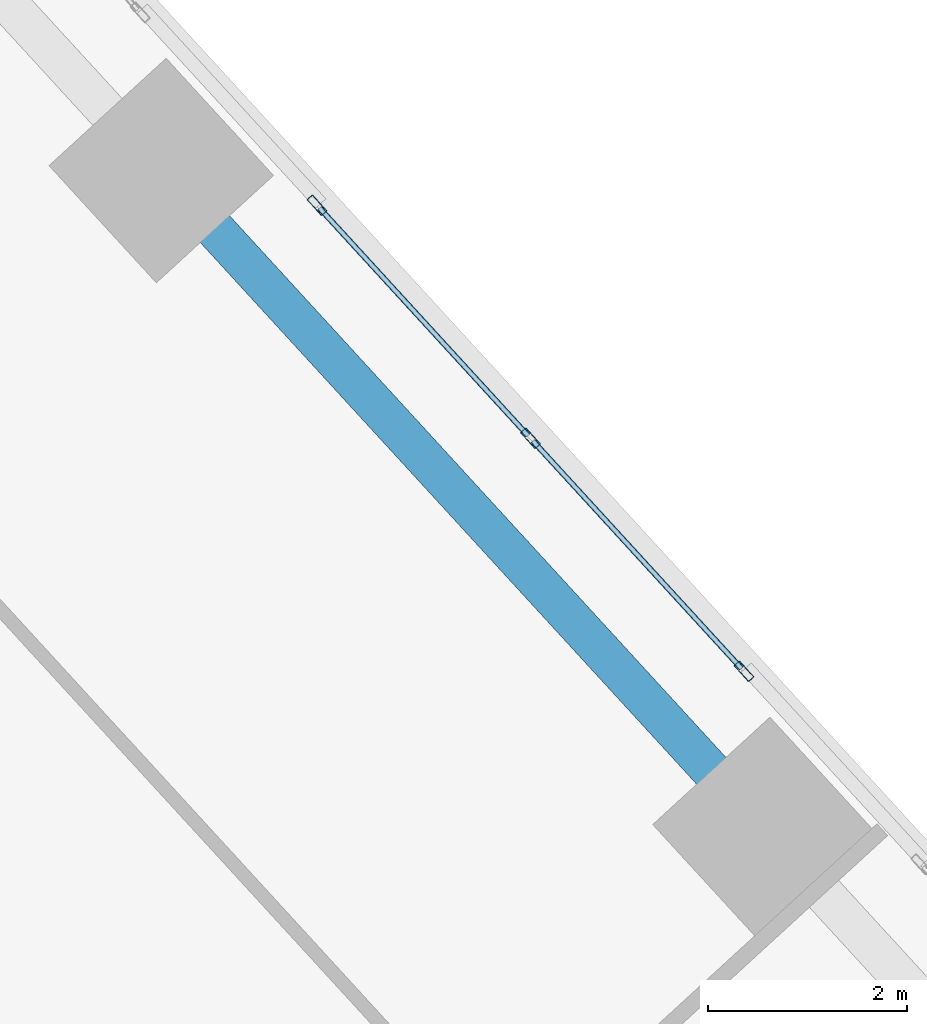
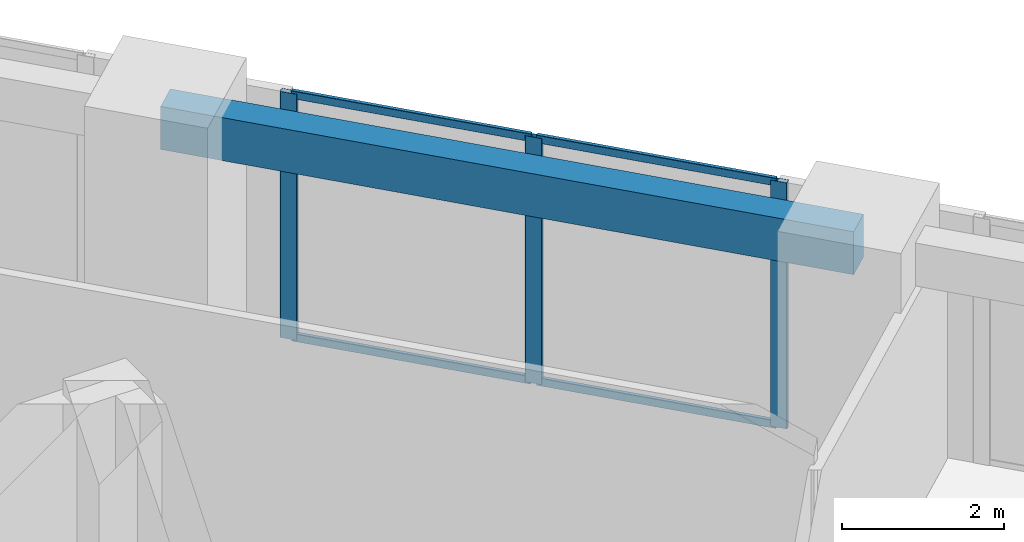
# One storey, part 10 of 16: 7 members, 1 beam, 1 element without a shape of its own.
"""IFC4 building model written with IfcOpenShell, lengths in metres."""

from ifc_helpers import new_model, si_unit, direction, frame, origin, origin_2d, place, context, subcontext, project, spatial, rectangle, hollow_rectangle, extrude, source, transform, mapped, material, material_profile, profile_set, type_object, element, aggregate, save


model = new_model("IFC4")

# Units and contexts
model_context = context("Model", 3, precision=1e-05, world=origin(), true_north=direction((0.0, 1.0)))
body_context = subcontext(model_context, "Body", "Model", "MODEL_VIEW")
ifc_project = project(units=[si_unit("LENGTHUNIT", "METRE"), si_unit("AREAUNIT", "SQUARE_METRE"), si_unit("VOLUMEUNIT", "CUBIC_METRE"), si_unit("PLANEANGLEUNIT", "RADIAN"), si_unit("MASSUNIT", "GRAM", prefix="KILO")], contexts=[model_context])

# Site, building, storey
site_placement = place(None, origin())
site = spatial("IfcSite", under=ifc_project, at=site_placement, CompositionType="ELEMENT")
building_placement = place(site_placement, origin())
building = spatial("IfcBuilding", under=site, at=building_placement, Name="Torre Montelarca", CompositionType="ELEMENT")
storey_placement = place(building_placement, frame((0.0, 0.0, 262.60009765625)))
storey = spatial("IfcBuildingStorey", under=building, at=storey_placement, Name="L59", CompositionType="ELEMENT", Elevation=262.60009765625)

# Beam
ifc_material_1 = material(Name="Concrete C40/50", Category="concrete")
ifc_material_profile_1 = material_profile(ifc_material_1, rectangle(XDim=0.39990234375, YDim=0.64990234375, at=origin_2d()), Name="RCB400X650", Category="concrete")
ifc_profile_set_1 = profile_set([ifc_material_profile_1], Name="Concrete C40/50")
beam_type = type_object("IfcBeamType", Name="BM-SP-RC650-EXT", PredefinedType="SPANDREL", material=ifc_profile_set_1)
shared_shape_1 = source(origin(), body_context, "Body", "SweptSolid", [
    extrude(rectangle(XDim=0.39990234375, YDim=0.64990234375, at=origin_2d()), origin(), (0.0, 0.0, 1.0), 9.0),
])
beam_placement = place(storey_placement, frame((30.30517578125, 44.815673828125, 3.635009765625), z_axis=(0.675590724023, -0.73727686361, 0.0), x_axis=(0.73727686361, 0.675590724023, 0.0)))
element("IfcBeam", 1, at=beam_placement, inside=storey, type_object=beam_type, Name="L59 Grid Girder X 18.0-27.0 at Y=47.1", PredefinedType="SPANDREL", context=body_context, shape_type="MappedRepresentation", body=[
    mapped(shared_shape_1, transform((0.0, 0.0, 0.0), scale=1.0)),
])

# Curtain wall, members
ifc_material_2 = material(Name="Insulated low-E laminated glass", Category="glass")
curtain_wall_type = type_object("IfcCurtainWallType", Name="CW-SYS-Z3", PredefinedType="USERDEFINED", material=ifc_material_2)
curtain_wall_placement = place(storey_placement, origin())
curtain_wall = element("IfcCurtainWall", 2, at=curtain_wall_placement, inside=storey, type_object=curtain_wall_type, Name="L59 Curtain Wall Run CW-T3-L59-E08-B3", ObjectType="UNITISED GLAZING", PredefinedType="USERDEFINED")
ifc_material_3 = material(Name="Anodised aluminium AA 6063-T6", Category="aluminium")
ifc_material_profile_2 = material_profile(ifc_material_3, hollow_rectangle(XDim=0.074951171875, YDim=0.219970703125, WallThickness=0.0048828125, InnerFilletRadius=0.0048828125, OuterFilletRadius=0.010009765625, at=origin_2d()), Name="ALU75X220X5", Category="aluminium")
ifc_profile_set_2 = profile_set([ifc_material_profile_2], Name="Anodised aluminium AA 6063-T6")
member_type_1 = type_object("IfcMemberType", Name="CWM-ALU220", PredefinedType="MULLION", material=ifc_profile_set_2)
shared_shape_2 = source(origin(), body_context, "Body", "SweptSolid", [
    extrude(hollow_rectangle(XDim=0.074951171875, YDim=0.219970703125, WallThickness=0.0048828125, InnerFilletRadius=0.0048828125, OuterFilletRadius=0.010009765625, at=origin_2d()), origin(), (0.0, 0.0, 1.0), 3.719970703125),
])
member_1_placement = place(storey_placement, frame((36.173583984375, 39.77294921875, 0.0), z_axis=(0.0, 0.0, 1.0), x_axis=(-0.737279815472, -0.675587502621, 0.0)))
member_1 = element("IfcMember", 3, at=member_1_placement, type_object=member_type_1, Name="CW mullion 1", PredefinedType="MULLION", context=body_context, shape_type="MappedRepresentation", body=[
    mapped(shared_shape_2, transform((0.0, 0.0, 0.0), scale=1.0)),
])
member_2_placement = place(storey_placement, frame((34.023681640625, 42.119384765625, 0.0), z_axis=(0.0, 0.0, 1.0), x_axis=(-0.737279815472, -0.675587502621, 0.0)))
member_2 = element("IfcMember", 4, at=member_2_placement, type_object=member_type_1, Name="CW mullion 2", PredefinedType="MULLION", context=body_context, shape_type="MappedRepresentation", body=[
    mapped(shared_shape_2, transform((0.0, 0.0, 0.0), scale=1.0)),
])
member_3_placement = place(storey_placement, frame((31.87353515625, 44.4658203125, 0.0), z_axis=(0.0, 0.0, 1.0), x_axis=(-0.737279815472, -0.675587502621, 0.0)))
member_3 = element("IfcMember", 5, at=member_3_placement, type_object=member_type_1, Name="CW mullion 3", PredefinedType="MULLION", context=body_context, shape_type="MappedRepresentation", body=[
    mapped(shared_shape_2, transform((0.0, 0.0, 0.0), scale=1.0)),
])
ifc_material_profile_3 = material_profile(ifc_material_3, hollow_rectangle(XDim=0.054931640625, YDim=0.1201171875, WallThickness=0.00341796875, InnerFilletRadius=0.00341796875, OuterFilletRadius=0.007080078125, at=origin_2d()), Name="ALU55X120X3.5", Category="aluminium")
ifc_profile_set_3 = profile_set([ifc_material_profile_3], Name="Anodised aluminium AA 6063-T6")
member_type_2 = type_object("IfcMemberType", Name="CWT-ALU120", PredefinedType="USERDEFINED", material=ifc_profile_set_3)
shared_shape_3 = source(origin(), body_context, "Body", "SweptSolid", [
    extrude(hollow_rectangle(XDim=0.054931640625, YDim=0.1201171875, WallThickness=0.00341796875, InnerFilletRadius=0.00341796875, OuterFilletRadius=0.007080078125, at=origin_2d()), origin(), (0.0, 0.0, 1.0), 3.107421875),
])
member_4_placement = place(storey_placement, frame((33.998291015625, 42.147216796875, 0.02734375), z_axis=(-0.675596539491, 0.737271534665, 0.0), x_axis=(-0.737271534665, -0.675596539491, 0.0)))
member_4 = element("IfcMember", 6, at=member_4_placement, type_object=member_type_2, Name="CW transom 2.1", ObjectType="TRANSOM", PredefinedType="USERDEFINED", context=body_context, shape_type="MappedRepresentation", body=[
    mapped(shared_shape_3, transform((0.0, 0.0, 0.0), scale=1.0)),
])
member_5_placement = place(storey_placement, frame((33.998291015625, 42.147216796875, 3.6923828125), z_axis=(-0.675596539491, 0.737271534665, 0.0), x_axis=(-0.737271534665, -0.675596539491, 0.0)))
member_5 = element("IfcMember", 7, at=member_5_placement, type_object=member_type_2, Name="CW transom 2.2", ObjectType="TRANSOM", PredefinedType="USERDEFINED", context=body_context, shape_type="MappedRepresentation", body=[
    mapped(shared_shape_3, transform((0.0, 0.0, 0.0), scale=1.0)),
])
shared_shape_4 = source(origin(), body_context, "Body", "SweptSolid", [
    extrude(hollow_rectangle(XDim=0.054931640625, YDim=0.1201171875, WallThickness=0.00341796875, InnerFilletRadius=0.00341796875, OuterFilletRadius=0.007080078125, at=origin_2d()), origin(), (0.0, 0.0, 1.0), 3.107666015625),
])
member_6_placement = place(storey_placement, frame((36.1484375, 39.80078125, 0.02734375), z_axis=(-0.675639242632, 0.737232401496, 0.0), x_axis=(-0.737232401496, -0.675639242632, 0.0)))
member_6 = element("IfcMember", 8, at=member_6_placement, type_object=member_type_2, Name="CW transom 1.1", ObjectType="TRANSOM", PredefinedType="USERDEFINED", context=body_context, shape_type="MappedRepresentation", body=[
    mapped(shared_shape_4, transform((0.0, 0.0, 0.0), scale=1.0)),
])
member_7_placement = place(storey_placement, frame((36.1484375, 39.80078125, 3.6923828125), z_axis=(-0.675639242632, 0.737232401496, 0.0), x_axis=(-0.737232401496, -0.675639242632, 0.0)))
member_7 = element("IfcMember", 9, at=member_7_placement, type_object=member_type_2, Name="CW transom 1.2", ObjectType="TRANSOM", PredefinedType="USERDEFINED", context=body_context, shape_type="MappedRepresentation", body=[
    mapped(shared_shape_4, transform((0.0, 0.0, 0.0), scale=1.0)),
])
aggregate(curtain_wall, [member_1, member_2, member_3, member_6, member_7, member_4, member_5])

save(model, "model.ifc")
